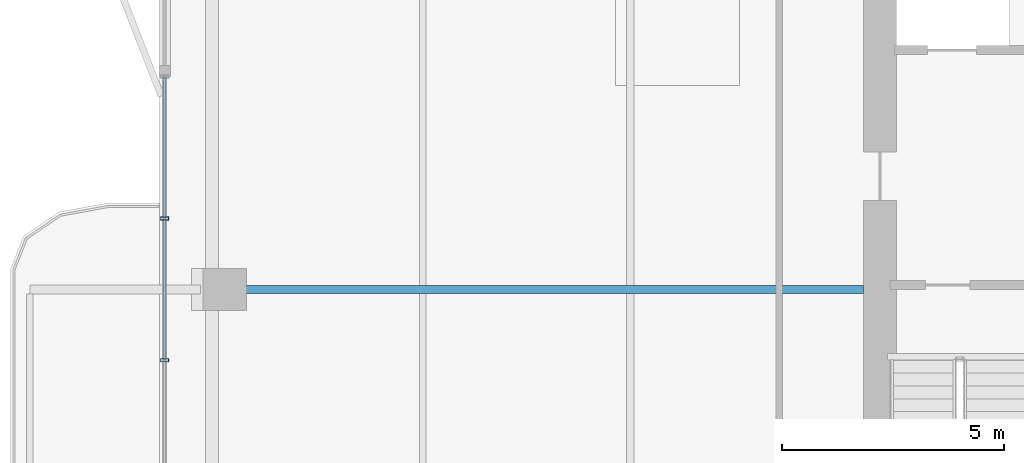
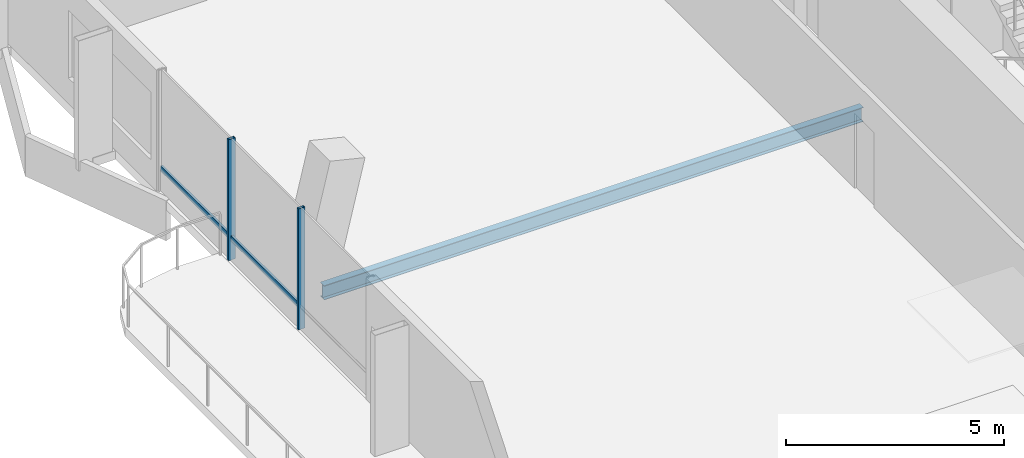
# One storey, part 6 of 25: 4 members, 1 beam, 1 element without a shape of its own.
"""IFC4 building model written with IfcOpenShell, lengths in metres."""

from ifc_helpers import new_model, si_unit, direction, frame, origin, origin_2d, place, context, subcontext, project, spatial, hollow_rectangle, i_section, extrude, material, layer, layer_set, material_profile, profile_set, type_object, element, aggregate, save


model = new_model("IFC4")

# Units and contexts
model_context = context("Model", 3, precision=1e-05, world=origin(), true_north=direction((0.0, 1.0)))
body_context = subcontext(model_context, "Body", "Model", "MODEL_VIEW")
ifc_project = project(units=[si_unit("LENGTHUNIT", "METRE"), si_unit("AREAUNIT", "SQUARE_METRE"), si_unit("VOLUMEUNIT", "CUBIC_METRE"), si_unit("PLANEANGLEUNIT", "RADIAN"), si_unit("MASSUNIT", "GRAM", prefix="KILO")], contexts=[model_context])

# Site, building, storey
site_placement = place(None, origin())
site = spatial("IfcSite", under=ifc_project, at=site_placement, CompositionType="ELEMENT")
building_placement = place(site_placement, origin())
building = spatial("IfcBuilding", under=site, at=building_placement, Name="Belovzor Exchange Tower", CompositionType="ELEMENT")
storey_placement = place(building_placement, frame((0.0, 0.0, 280.35009765625)))
storey = spatial("IfcBuildingStorey", under=building, at=storey_placement, Name="L70", CompositionType="ELEMENT", Elevation=280.35009765625)

# Curtain wall, members
ifc_material_1 = material(Name="Anodised Aluminium Framing", Category="aluminium")
ifc_layer = layer(ifc_material_1, 0.179931640625)
ifc_layer_set = layer_set([ifc_layer], Name="Anodised Aluminium Framing")
curtain_wall_type = type_object("IfcCurtainWallType", Name="Recessed Loggia Low-Iron Triple-Glazed Curtain Wall", PredefinedType="NOTDEFINED", material=ifc_layer_set)
curtain_wall_placement = place(storey_placement, origin())
curtain_wall = element("IfcCurtainWall", 1, at=curtain_wall_placement, inside=storey, type_object=curtain_wall_type, Name="CW3 Recessed Loggia Low-Iron Triple-Glazed Curtain Wall L70", PredefinedType="NOTDEFINED")
ifc_material_2 = material(Name="Steel S355", Category="steel")
ifc_material_profile_1 = material_profile(ifc_material_2, hollow_rectangle(XDim=0.074951171875, YDim=0.179931640625, WallThickness=0.0048828125, at=origin_2d()))
ifc_profile_set_1 = profile_set([ifc_material_profile_1], Name="Steel S355")
member_type_1 = type_object("IfcMemberType", Name="Thermally Broken Curtain Wall Mullion 180x75", PredefinedType="MULLION", material=ifc_profile_set_1)
member_1_placement = place(storey_placement, frame((4.030029296875, 27.199951171875, 0.0), z_axis=(0.0, 0.0, 1.0), x_axis=(0.0, 1.0, 0.0)))
member_1 = element("IfcMember", 2, at=member_1_placement, type_object=member_type_1, Name="CW-M180 Curtain Wall Mullion 2", PredefinedType="MULLION", context=body_context, shape_type="SweptSolid", body=[
    extrude(hollow_rectangle(XDim=0.074951171875, YDim=0.179931640625, WallThickness=0.0048828125, at=origin_2d()), origin(), (0.0, 0.0, 1.0), 3.389892578125),
])
member_2_placement = place(storey_placement, frame((4.030029296875, 30.39990234375, 0.0), z_axis=(0.0, 0.0, 1.0), x_axis=(0.0, 1.0, 0.0)))
member_2 = element("IfcMember", 3, at=member_2_placement, type_object=member_type_1, Name="CW-M180 Curtain Wall Mullion 3", PredefinedType="MULLION", context=body_context, shape_type="SweptSolid", body=[
    extrude(hollow_rectangle(XDim=0.074951171875, YDim=0.179931640625, WallThickness=0.0048828125, at=origin_2d()), origin(), (0.0, 0.0, 1.0), 3.389892578125),
])
ifc_material_3 = material(Name="Steel S355", Category="steel")
ifc_material_profile_2 = material_profile(ifc_material_3, hollow_rectangle(XDim=0.06005859375, YDim=0.14990234375, WallThickness=0.00390625, at=origin_2d()))
ifc_profile_set_2 = profile_set([ifc_material_profile_2], Name="Steel S355")
member_type_2 = type_object("IfcMemberType", Name="Thermally Broken Curtain Wall Transom 150x60", PredefinedType="USERDEFINED", material=ifc_profile_set_2)
member_3_placement = place(storey_placement, frame((4.030029296875, 27.2080078125, 0.60986328125), z_axis=(0.0, 1.0, 0.0), x_axis=(-1.0, 0.0, 0.0)))
member_3 = element("IfcMember", 4, at=member_3_placement, type_object=member_type_2, Name="CW-T150 Curtain Wall Transom 2", ObjectType="TRANSOM", PredefinedType="USERDEFINED", context=body_context, shape_type="SweptSolid", body=[
    extrude(hollow_rectangle(XDim=0.06005859375, YDim=0.14990234375, WallThickness=0.00390625, at=origin_2d()), origin(), (0.0, 0.0, 1.0), 3.18408203125),
])
member_4_placement = place(storey_placement, frame((4.030029296875, 30.407958984375, 0.60986328125), z_axis=(0.0, 1.0, 0.0), x_axis=(-1.0, 0.0, 0.0)))
member_4 = element("IfcMember", 5, at=member_4_placement, type_object=member_type_2, Name="CW-T150 Curtain Wall Transom 3", ObjectType="TRANSOM", PredefinedType="USERDEFINED", context=body_context, shape_type="SweptSolid", body=[
    extrude(hollow_rectangle(XDim=0.06005859375, YDim=0.14990234375, WallThickness=0.00390625, at=origin_2d()), origin(), (0.0, 0.0, 1.0), 3.18408203125),
])
aggregate(curtain_wall, [member_1, member_2, member_3, member_4])

# Beam
ifc_material_4 = material(Name="Steel S355", Category="steel")
ifc_material_profile_3 = material_profile(ifc_material_4, i_section(OverallWidth=0.179931640625, OverallDepth=0.39990234375, WebThickness=0.008544921875, FlangeThickness=0.013427734375, at=origin_2d()))
ifc_profile_set_3 = profile_set([ifc_material_profile_3], Name="Steel S355")
beam_type = type_object("IfcBeamType", Name="Zone 5-6 Radial Composite Floor Beam IPE 400", PredefinedType="BEAM", material=ifc_profile_set_3)
beam_placement = place(storey_placement, frame((19.800048828125, 28.800048828125, -0.4501953125), z_axis=(-1.0, 0.0, 0.0), x_axis=(0.0, -1.0, 0.0)))
element("IfcBeam", 6, at=beam_placement, inside=storey, type_object=beam_type, Name="FB-400 Zone 5-6 Radial Composite Floor Beam IPE 400", PredefinedType="BEAM", context=body_context, shape_type="SweptSolid", body=[
    extrude(i_section(OverallWidth=0.179931640625, OverallDepth=0.39990234375, WebThickness=0.008544921875, FlangeThickness=0.013427734375, at=origin_2d()), origin(), (0.0, 0.0, 1.0), 14.281982421875),
])

save(model, "model.ifc")
